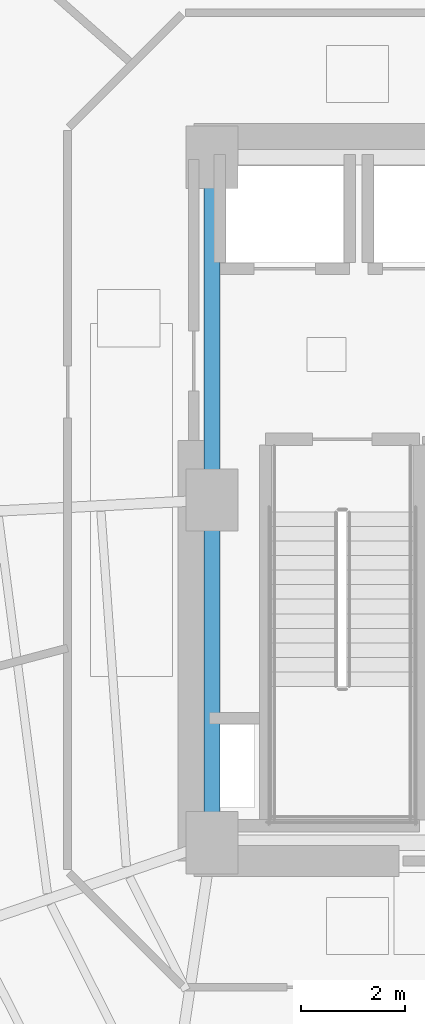
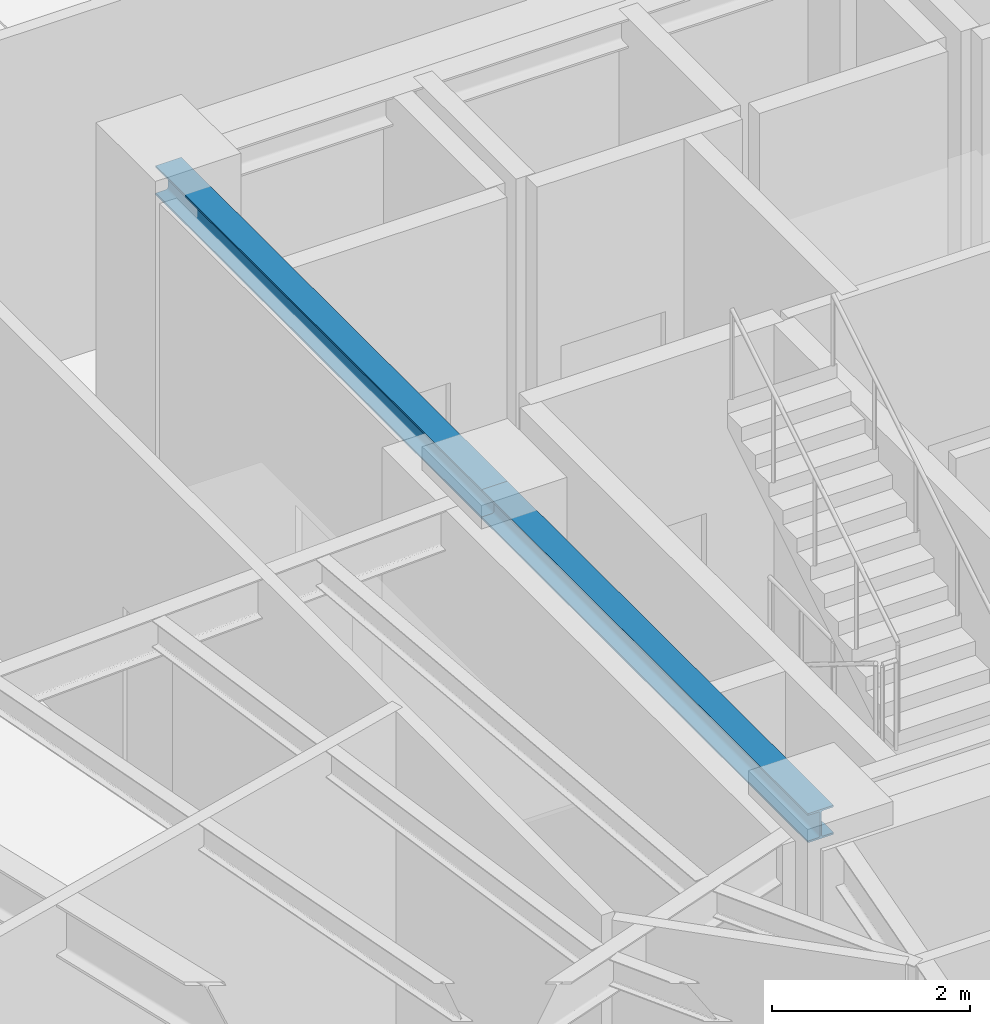
# One storey, part 3 of 19: 2 beams.
"""IFC4 building model written with IfcOpenShell, lengths in metres."""

from ifc_helpers import new_model, si_unit, direction, frame, origin, origin_2d, place, context, subcontext, project, spatial, i_section, extrude, material, material_profile, profile_set, type_object, element, save


model = new_model("IFC4")

# Units and contexts
model_context = context("Model", 3, precision=1e-05, world=origin(), true_north=direction((0.0, 1.0)))
body_context = subcontext(model_context, "Body", "Model", "MODEL_VIEW")
ifc_project = project(units=[si_unit("LENGTHUNIT", "METRE"), si_unit("AREAUNIT", "SQUARE_METRE"), si_unit("VOLUMEUNIT", "CUBIC_METRE"), si_unit("PLANEANGLEUNIT", "RADIAN"), si_unit("MASSUNIT", "GRAM", prefix="KILO")], contexts=[model_context])

# Site, building, storey
site_placement = place(None, origin())
site = spatial("IfcSite", under=ifc_project, at=site_placement, CompositionType="ELEMENT")
building_placement = place(site_placement, origin())
building = spatial("IfcBuilding", under=site, at=building_placement, Name="Ndelora Gate Hotel", CompositionType="ELEMENT")
storey_placement = place(building_placement, frame((0.0, 0.0, 88.25)))
storey = spatial("IfcBuildingStorey", under=building, at=storey_placement, Name="L21", CompositionType="ELEMENT", Elevation=88.25)

# Beams
ifc_material = material(Name="Steel S355", Category="steel")
ifc_material_profile = material_profile(ifc_material, i_section(OverallWidth=0.300048828125, OverallDepth=0.360107421875, WebThickness=0.012451171875, FlangeThickness=0.0224609375, FilletRadius=0.027099609375, at=origin_2d()), Name="HEB 360")
ifc_profile_set = profile_set([ifc_material_profile], Name="Steel S355")
beam_type = type_object("IfcBeamType", Name="BM-CORE-360", PredefinedType="BEAM", material=ifc_profile_set)
for number, where, z_axis, x_axis, name in (
    (1, (-8.0, -6.60009765625, 4.030029296875), (0.0, 1.0, 0.0), (-1.0, 0.0, 0.0), "L21 Core Tie Girder CC1-CC8"),
    (2, (-8.0, 0.0, 4.030029296875), (0.0, 1.0, 0.0), (-1.0, 0.0, 0.0), "L21 Core Tie Girder CC8-CC7"),
):
    element("IfcBeam", number, at=place(storey_placement, frame(where, z_axis=z_axis, x_axis=x_axis)), inside=storey, type_object=beam_type, Name=name, PredefinedType="BEAM", context=body_context, shape_type="SweptSolid", body=[
        extrude(i_section(OverallWidth=0.300048828125, OverallDepth=0.360107421875, WebThickness=0.012451171875, FlangeThickness=0.0224609375, FilletRadius=0.027099609375, at=origin_2d()), origin(), (0.0, 0.0, 1.0), 6.60009765625),
    ])

save(model, "model.ifc")
